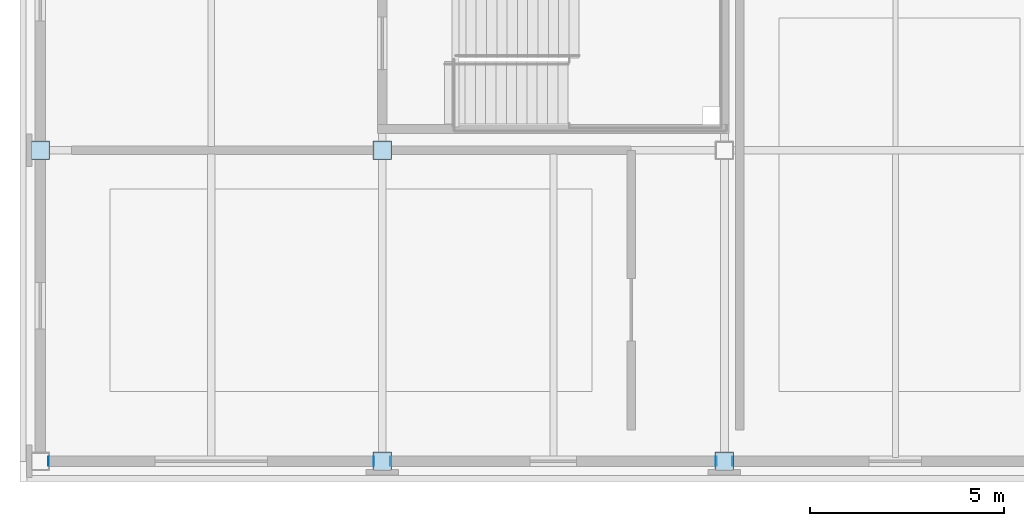
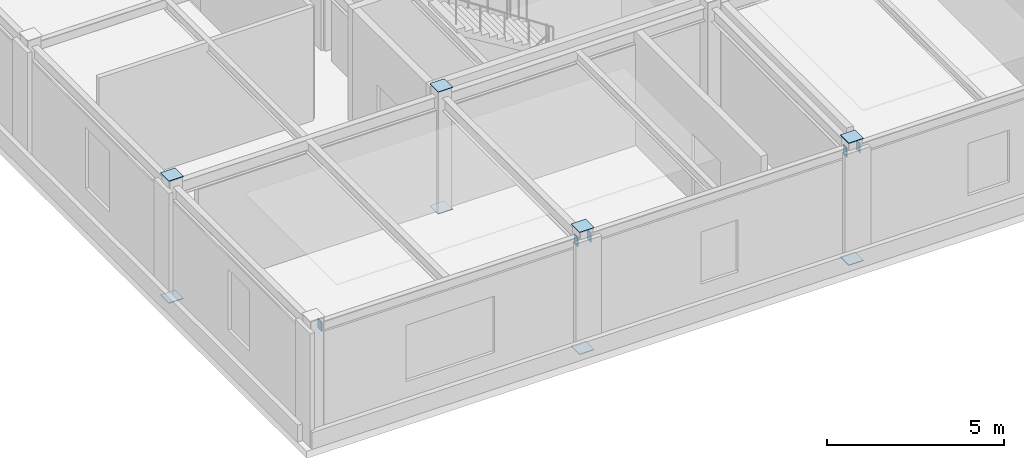
# One storey, part 3 of 18: 13 plates.
"""IFC4 building model written with IfcOpenShell, lengths in metres."""

from ifc_helpers import new_model, si_unit, direction, frame, origin, origin_2d, place, context, subcontext, project, spatial, rectangle, extrude, material, layer, layer_set, type_object, element, save


model = new_model("IFC4")

# Units and contexts
model_context = context("Model", 3, precision=1e-05, world=origin(), true_north=direction((0.0, 1.0)))
body_context = subcontext(model_context, "Body", "Model", "MODEL_VIEW")
ifc_project = project(units=[si_unit("LENGTHUNIT", "METRE"), si_unit("AREAUNIT", "SQUARE_METRE"), si_unit("VOLUMEUNIT", "CUBIC_METRE"), si_unit("PLANEANGLEUNIT", "RADIAN"), si_unit("MASSUNIT", "GRAM", prefix="KILO")], contexts=[model_context])

# Site, building, storey
site_placement = place(None, origin())
site = spatial("IfcSite", under=ifc_project, at=site_placement, CompositionType="ELEMENT")
building_placement = place(site_placement, origin())
building = spatial("IfcBuilding", under=site, at=building_placement, Name="Zhaolan Boulevard Law Courts", CompositionType="ELEMENT")
storey_placement = place(building_placement, frame((0.0, 0.0, 33.0)))
storey = spatial("IfcBuildingStorey", under=building, at=storey_placement, Name="L07", CompositionType="ELEMENT", Elevation=33.0)

# Plates
ifc_material = material(Name="Structural steel Q355B", Category="steel")
ifc_layer = layer(ifc_material, 0.02001953125)
ifc_layer_set = layer_set([ifc_layer])
plate_type = type_object("IfcPlateType", Name="END CAP PLATE 20", PredefinedType="SHEET", material=ifc_layer_set)
for number, where, z_axis, x_axis, name in (
    (1, (0.0, 38.0, -0.01806640625), (0.0, 0.0, 1.0), (1.0, 0.0, 0.0), "Hollow Section End-Cap Plate ECP-0037"),
    (2, (0.0, 38.0, 4.197998046875), (0.0, 0.0, 1.0), (1.0, 0.0, 0.0), "Hollow Section End-Cap Plate ECP-0038"),
    (3, (8.800048828125, 30.0, -0.01806640625), (0.0, 0.0, 1.0), (1.0, 0.0, 0.0), "Hollow Section End-Cap Plate ECP-0151"),
    (4, (8.800048828125, 30.0, 4.197998046875), (0.0, 0.0, 1.0), (1.0, 0.0, 0.0), "Hollow Section End-Cap Plate ECP-0152"),
    (5, (8.800048828125, 38.0, -0.01806640625), (0.0, 0.0, 1.0), (1.0, 0.0, 0.0), "Hollow Section End-Cap Plate ECP-0171"),
    (6, (8.800048828125, 38.0, 4.197998046875), (0.0, 0.0, 1.0), (1.0, 0.0, 0.0), "Hollow Section End-Cap Plate ECP-0172"),
    (7, (17.60009765625, 30.0, -0.01806640625), (0.0, 0.0, 1.0), (1.0, 0.0, 0.0), "Hollow Section End-Cap Plate ECP-0285"),
    (8, (17.60009765625, 30.0, 4.197998046875), (0.0, 0.0, 1.0), (1.0, 0.0, 0.0), "Hollow Section End-Cap Plate ECP-0286"),
):
    element("IfcPlate", number, at=place(storey_placement, frame(where, z_axis=z_axis, x_axis=x_axis)), inside=storey, type_object=plate_type, Name=name, PredefinedType="SHEET", context=body_context, shape_type="SweptSolid", body=[
        extrude(rectangle(XDim=0.47998046875, YDim=0.47998046875, at=origin_2d()), origin(), (0.0, 0.0, 1.0), 0.02001953125),
    ])
for number, where, z_axis, x_axis, name in (
    (9, (0.212890625, 30.0, 3.633056640625), (0.0, 0.0, 1.0), (1.0, 0.0, 0.0), "Hollow Section End-Cap Plate ECP-1009"),
    (10, (8.5869140625, 30.0, 3.633056640625), (0.0, 0.0, 1.0), (1.0, 0.0, 0.0), "Hollow Section End-Cap Plate ECP-1010"),
    (11, (9.012939453125, 30.0, 3.633056640625), (0.0, 0.0, 1.0), (1.0, 0.0, 0.0), "Hollow Section End-Cap Plate ECP-1011"),
    (12, (17.386962890625, 30.0, 3.633056640625), (0.0, 0.0, 1.0), (1.0, 0.0, 0.0), "Hollow Section End-Cap Plate ECP-1012"),
    (13, (17.81298828125, 30.0, 3.633056640625), (0.0, 0.0, 1.0), (1.0, 0.0, 0.0), "Hollow Section End-Cap Plate ECP-1013"),
):
    element("IfcPlate", number, at=place(storey_placement, frame(where, z_axis=z_axis, x_axis=x_axis)), inside=storey, type_object=plate_type, Name=name, PredefinedType="SHEET", context=body_context, shape_type="SweptSolid", body=[
        extrude(rectangle(XDim=0.02001953125, YDim=0.22998046875, at=origin_2d()), origin(), (0.0, 0.0, 1.0), 0.330078125),
    ])

save(model, "model.ifc")
